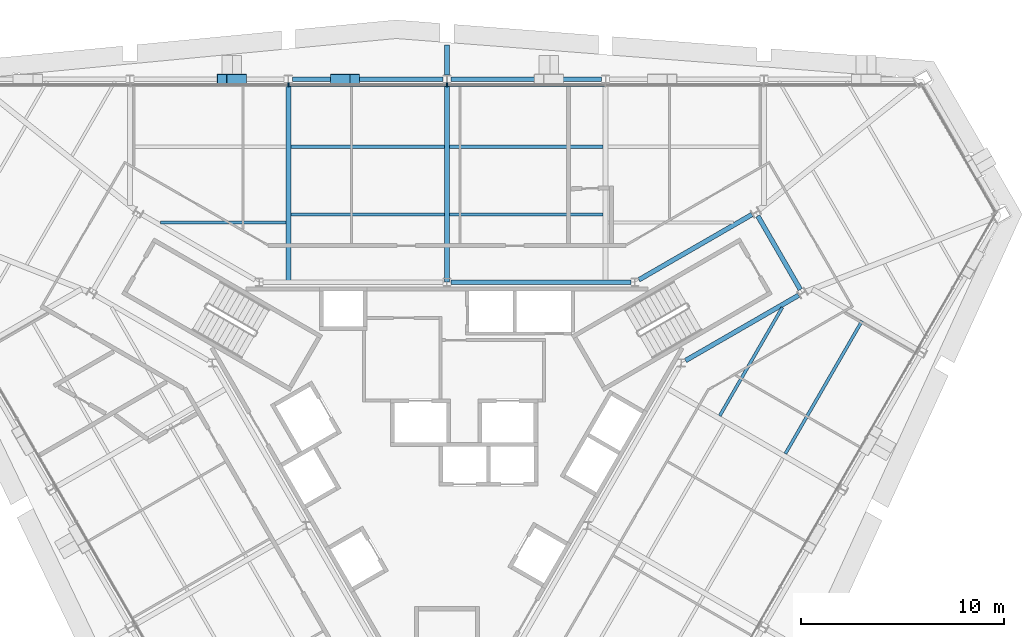
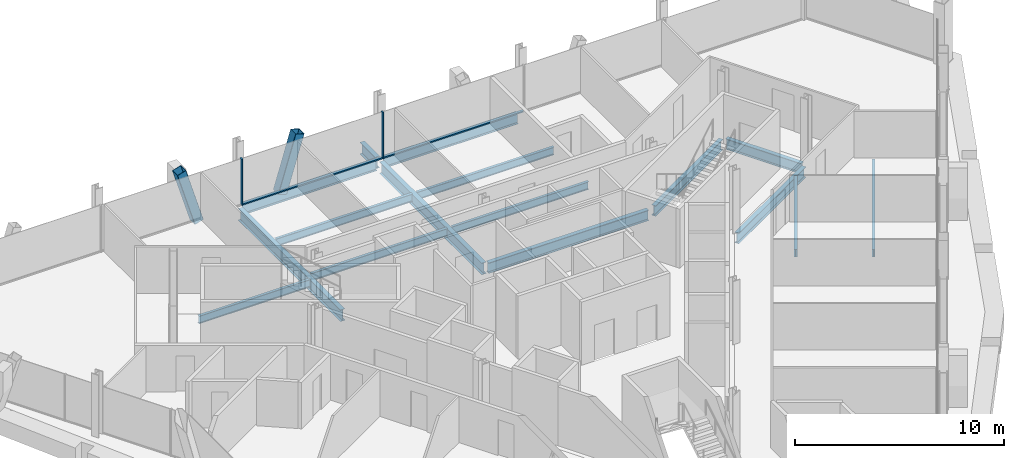
# One storey, part 9 of 17: 16 beams, 6 members, 1 element without a shape of its own.
"""IFC4 building model written with IfcOpenShell, lengths in metres."""

from ifc_helpers import new_model, si_unit, direction, frame, origin, origin_2d, place, context, subcontext, project, spatial, rectangle, hollow_rectangle, i_section, extrude, material, material_profile, profile_set, type_object, element, aggregate, save


model = new_model("IFC4")

# Units and contexts
model_context = context("Model", 3, precision=1e-05, world=origin(), true_north=direction((0.0, 1.0)))
body_context = subcontext(model_context, "Body", "Model", "MODEL_VIEW")
ifc_project = project(units=[si_unit("LENGTHUNIT", "METRE"), si_unit("AREAUNIT", "SQUARE_METRE"), si_unit("VOLUMEUNIT", "CUBIC_METRE"), si_unit("PLANEANGLEUNIT", "RADIAN"), si_unit("MASSUNIT", "GRAM", prefix="KILO")], contexts=[model_context])

# Site, building, storey
site_placement = place(None, origin())
site = spatial("IfcSite", under=ifc_project, at=site_placement, CompositionType="ELEMENT")
building_placement = place(site_placement, origin())
building = spatial("IfcBuilding", under=site, at=building_placement, Name="Verrane Prism Tower", CompositionType="ELEMENT")
storey_placement = place(building_placement, frame((0.0, 0.0, 182.10009765625)))
storey = spatial("IfcBuildingStorey", under=building, at=storey_placement, Name="L45", CompositionType="ELEMENT", Elevation=182.10009765625)

# Beams
ifc_material_1 = material(Name="Steel A992", Category="steel")
ifc_material_profile_1 = material_profile(ifc_material_1, i_section(OverallWidth=0.23046875, OverallDepth=0.6171875, WebThickness=0.01318359375, FlangeThickness=0.022216796875, FilletRadius=0.012939453125, at=origin_2d()), Name="W24x94")
ifc_profile_set_1 = profile_set([ifc_material_profile_1], Name="Steel A992")
beam_type_1 = type_object("IfcBeamType", Name="Core ring girder W24x94", PredefinedType="BEAM", material=ifc_profile_set_1)
beam_1_placement = place(storey_placement, frame((11.7607421875, 4.1357421875, -0.55859375), z_axis=(0.866075143088, 0.499913839102, 0.0), x_axis=(-0.499913839102, 0.866075143088, 0.0)))
element("IfcBeam", 1, at=beam_1_placement, inside=storey, type_object=beam_type_1, Name="Core ring girder L45", PredefinedType="BEAM", context=body_context, shape_type="SweptSolid", body=[
    extrude(i_section(OverallWidth=0.23046875, OverallDepth=0.6171875, WebThickness=0.01318359375, FlangeThickness=0.022216796875, FilletRadius=0.012939453125, at=origin_2d()), origin(), (0.0, 0.0, 1.0), 6.441650390625),
])
beam_2_placement = place(storey_placement, frame((17.418212890625, 7.635986328125, -0.55859375), z_axis=(-0.500305747711, 0.865848808284, 0.0), x_axis=(-0.865848808284, -0.500305747711, 0.0)))
element("IfcBeam", 2, at=beam_2_placement, inside=storey, type_object=beam_type_1, Name="Core ring girder L45", PredefinedType="BEAM", context=body_context, shape_type="SweptSolid", body=[
    extrude(i_section(OverallWidth=0.23046875, OverallDepth=0.6171875, WebThickness=0.01318359375, FlangeThickness=0.022216796875, FilletRadius=0.012939453125, at=origin_2d()), origin(), (0.0, 0.0, 1.0), 4.1904296875),
])
beam_3_placement = place(storey_placement, frame((15.03955078125, 11.3359375, -0.55859375), z_axis=(-0.866075143088, -0.499913839102, 0.0), x_axis=(0.499913839102, -0.866075143088, 0.0)))
element("IfcBeam", 3, at=beam_3_placement, inside=storey, type_object=beam_type_1, Name="Core ring girder L45", PredefinedType="BEAM", context=body_context, shape_type="SweptSolid", body=[
    extrude(i_section(OverallWidth=0.23046875, OverallDepth=0.6171875, WebThickness=0.01318359375, FlangeThickness=0.022216796875, FilletRadius=0.012939453125, at=origin_2d()), origin(), (0.0, 0.0, 1.0), 6.441650390625),
])
beam_4_placement = place(storey_placement, frame((9.059326171875, 8.0, -0.55859375), z_axis=(-1.0, 0.0, 0.0), x_axis=(0.0, -1.0, 0.0)))
element("IfcBeam", 4, at=beam_4_placement, inside=storey, type_object=beam_type_1, Name="Core ring girder L45", PredefinedType="BEAM", context=body_context, shape_type="SweptSolid", body=[
    extrude(i_section(OverallWidth=0.23046875, OverallDepth=0.6171875, WebThickness=0.01318359375, FlangeThickness=0.022216796875, FilletRadius=0.012939453125, at=origin_2d()), origin(), (0.0, 0.0, 1.0), 8.858642578125),
])

# Members
ifc_material_2 = material(Name="Steel A500 Grade C", Category="steel")
ifc_material_profile_2 = material_profile(ifc_material_2, hollow_rectangle(XDim=0.508056640625, YDim=0.508056640625, WallThickness=0.01904296875, InnerFilletRadius=0.009521484375, OuterFilletRadius=0.028564453125, at=origin_2d()), Name="HSS20x20x3/4")
ifc_profile_set_2 = profile_set([ifc_material_profile_2], Name="Steel A500 Grade C")
member_type_1 = type_object("IfcMemberType", Name="Facade brace HSS20x20x3/4", PredefinedType="BRACE", material=ifc_profile_set_2)
member_1_placement = place(storey_placement, frame((-5.509765625, 18.010009765625, -0.216796875), z_axis=(0.289051375374, 0.0, 0.957313586237), x_axis=(0.0, 1.0, 0.0)))
element("IfcMember", 5, at=member_1_placement, inside=storey, type_object=member_type_1, Name="Facade brace N3 L45", PredefinedType="BRACE", context=body_context, shape_type="SweptSolid", body=[
    extrude(hollow_rectangle(XDim=0.508056640625, YDim=0.508056640625, WallThickness=0.01904296875, InnerFilletRadius=0.009521484375, OuterFilletRadius=0.028564453125, at=origin_2d()), origin(), (0.0, 0.0, 1.0), 3.3388671875),
])
member_2_placement = place(storey_placement, frame((-10.12744140625, 18.010009765625, -0.216796875), z_axis=(-0.288716259117, 0.0, 0.957414707283), x_axis=(0.0, -1.0, 0.0)))
element("IfcMember", 6, at=member_2_placement, inside=storey, type_object=member_type_1, Name="Facade brace N4 L45", PredefinedType="BRACE", context=body_context, shape_type="SweptSolid", body=[
    extrude(hollow_rectangle(XDim=0.508056640625, YDim=0.508056640625, WallThickness=0.01904296875, InnerFilletRadius=0.009521484375, OuterFilletRadius=0.028564453125, at=origin_2d()), origin(), (0.0, 0.0, 1.0), 3.33837890625),
])

# Beams
ifc_material_3 = material(Name="Steel A992", Category="steel")
ifc_material_profile_3 = material_profile(ifc_material_3, i_section(OverallWidth=0.15234375, OverallDepth=0.449462890625, WebThickness=0.007568359375, FlangeThickness=0.0107421875, FilletRadius=0.01025390625, at=origin_2d()), Name="W18x35")
ifc_profile_set_3 = profile_set([ifc_material_profile_3], Name="Steel A992")
beam_type_2 = type_object("IfcBeamType", Name="Floor beam W18x35", PredefinedType="BEAM", material=ifc_profile_set_3)
for number, where, z_axis, x_axis, name in (
    (7, (0.126953125, 11.336669921875, -0.385009765625), (1.0, 0.0, 0.0), (0.0, 1.0, 0.0), "Floor beam L45"),
    (8, (0.126953125, 14.67333984375, -0.385009765625), (1.0, 0.0, 0.0), (0.0, 1.0, 0.0), "Floor beam L45"),
    (9, (-7.693115234375, 11.336669921875, -0.385009765625), (1.0, 0.0, 0.0), (0.0, 1.0, 0.0), "Floor beam L45"),
    (10, (-7.693115234375, 14.67333984375, -0.385009765625), (1.0, 0.0, 0.0), (0.0, 1.0, 0.0), "Floor beam L45"),
):
    element("IfcBeam", number, at=place(storey_placement, frame(where, z_axis=z_axis, x_axis=x_axis)), inside=storey, type_object=beam_type_2, Name=name, PredefinedType="BEAM", context=body_context, shape_type="SweptSolid", body=[
        extrude(i_section(OverallWidth=0.15234375, OverallDepth=0.449462890625, WebThickness=0.007568359375, FlangeThickness=0.0107421875, FilletRadius=0.01025390625, at=origin_2d()), origin(), (0.0, 0.0, 1.0), 7.566162109375),
    ])
beam_5_placement = place(storey_placement, frame((-14.117919921875, 10.936767578125, -0.385009765625), z_axis=(1.0, 0.0, 0.0), x_axis=(0.0, 1.0, 0.0)))
element("IfcBeam", 11, at=beam_5_placement, inside=storey, type_object=beam_type_2, Name="Floor beam L45", PredefinedType="BEAM", context=body_context, shape_type="SweptSolid", body=[
    extrude(i_section(OverallWidth=0.15234375, OverallDepth=0.449462890625, WebThickness=0.007568359375, FlangeThickness=0.0107421875, FilletRadius=0.01025390625, at=origin_2d()), origin(), (0.0, 0.0, 1.0), 6.1708984375),
])
beam_6_placement = place(storey_placement, frame((16.68310546875, -0.453125, -0.385009765625), z_axis=(0.499994554566, 0.866028547684, 0.0), x_axis=(-0.866028547684, 0.499994554566, 0.0)))
element("IfcBeam", 12, at=beam_6_placement, inside=storey, type_object=beam_type_2, Name="Floor beam L45", PredefinedType="BEAM", context=body_context, shape_type="SweptSolid", body=[
    extrude(i_section(OverallWidth=0.15234375, OverallDepth=0.449462890625, WebThickness=0.007568359375, FlangeThickness=0.0107421875, FilletRadius=0.01025390625, at=origin_2d()), origin(), (0.0, 0.0, 1.0), 7.5595703125),
])
beam_7_placement = place(storey_placement, frame((13.446044921875, 1.41357421875, -0.385009765625), z_axis=(0.500025052272, 0.866010939365, 0.0), x_axis=(-0.866010939365, 0.500025052272, 0.0)))
element("IfcBeam", 13, at=beam_7_placement, inside=storey, type_object=beam_type_2, Name="Floor beam L45", PredefinedType="BEAM", context=body_context, shape_type="SweptSolid", body=[
    extrude(i_section(OverallWidth=0.15234375, OverallDepth=0.449462890625, WebThickness=0.007568359375, FlangeThickness=0.0107421875, FilletRadius=0.01025390625, at=origin_2d()), origin(), (0.0, 0.0, 1.0), 6.169189453125),
])

# Curtain wall, members
ifc_material_4 = material(Name="Aluminium framed insulated glazing", Category="aluminium")
curtain_wall_type = type_object("IfcCurtainWallType", Name="Curtain wall CW-A 8400 module", PredefinedType="NOTDEFINED", material=ifc_material_4)
curtain_wall_placement = place(storey_placement, origin())
curtain_wall = element("IfcCurtainWall", 14, at=curtain_wall_placement, inside=storey, type_object=curtain_wall_type, Name="Glazed curtain wall north face L45", PredefinedType="NOTDEFINED")
ifc_material_5 = material(Name="Aluminium alloy 6063-T6", Category="aluminium")
ifc_material_profile_4 = material_profile(ifc_material_5, rectangle(XDim=0.199951171875, YDim=0.070068359375, at=origin_2d()), Name="Mullion 70x200 aluminium")
ifc_profile_set_4 = profile_set([ifc_material_profile_4], Name="Aluminium alloy 6063-T6")
member_type_2 = type_object("IfcMemberType", Name="Mullion 70x200 aluminium", PredefinedType="MULLION", material=ifc_profile_set_4)
member_3_placement = place(storey_placement, frame((0.0, 17.73095703125, 0.0), z_axis=(0.0, 0.0, 1.0), x_axis=(0.0, -1.0, 0.0)))
member_3 = element("IfcMember", 15, at=member_3_placement, type_object=member_type_2, Name="CW44.2 mullion 4", PredefinedType="MULLION", context=body_context, shape_type="SweptSolid", body=[
    extrude(rectangle(XDim=0.199951171875, YDim=0.070068359375, at=origin_2d()), origin(), (0.0, 0.0, 1.0), 2.712890625),
])
member_4_placement = place(storey_placement, frame((-7.802734375, 17.73095703125, 0.0), z_axis=(0.0, 0.0, 1.0), x_axis=(0.0, -1.0, 0.0)))
member_4 = element("IfcMember", 16, at=member_4_placement, type_object=member_type_2, Name="CW44.2 mullion 5", PredefinedType="MULLION", context=body_context, shape_type="SweptSolid", body=[
    extrude(rectangle(XDim=0.199951171875, YDim=0.070068359375, at=origin_2d()), origin(), (0.0, 0.0, 1.0), 2.712890625),
])

# Beams
ifc_material_6 = material(Name="Steel A992", Category="steel")
ifc_material_profile_5 = material_profile(ifc_material_6, i_section(OverallWidth=0.25390625, OverallDepth=0.683349609375, WebThickness=0.012451171875, FlangeThickness=0.01904296875, FilletRadius=0.01513671875, at=origin_2d()), Name="W27x94")
ifc_profile_set_5 = profile_set([ifc_material_profile_5], Name="Steel A992")
beam_type_3 = type_object("IfcBeamType", Name="Radial girder W27x94", PredefinedType="BEAM", material=ifc_profile_set_5)
for number, where, z_axis, x_axis, name in (
    (17, (0.0, 17.8017578125, -0.561767578125), (0.0, -1.0, 0.0), (1.0, 0.0, 0.0), "Radial girder L45"),
    (18, (-7.820068359375, 17.8017578125, -0.561767578125), (0.0, -1.0, 0.0), (1.0, 0.0, 0.0), "Radial girder L45"),
):
    element("IfcBeam", number, at=place(storey_placement, frame(where, z_axis=z_axis, x_axis=x_axis)), inside=storey, type_object=beam_type_3, Name=name, PredefinedType="BEAM", context=body_context, shape_type="SweptSolid", body=[
        extrude(i_section(OverallWidth=0.25390625, OverallDepth=0.683349609375, WebThickness=0.012451171875, FlangeThickness=0.01904296875, FilletRadius=0.01513671875, at=origin_2d()), origin(), (0.0, 0.0, 1.0), 9.8017578125),
    ])
beam_8_placement = place(storey_placement, frame((0.0, 18.21435546875, -0.561767578125), z_axis=(0.0, 1.0, 0.0), x_axis=(-1.0, 0.0, 0.0)))
element("IfcBeam", 19, at=beam_8_placement, inside=storey, type_object=beam_type_3, Name="Cantilever girder L45", PredefinedType="BEAM", context=body_context, shape_type="SweptSolid", body=[
    extrude(i_section(OverallWidth=0.25390625, OverallDepth=0.683349609375, WebThickness=0.012451171875, FlangeThickness=0.01904296875, FilletRadius=0.01513671875, at=origin_2d()), origin(), (0.0, 0.0, 1.0), 1.467529296875),
])
ifc_material_7 = material(Name="Steel A992", Category="steel")
ifc_material_profile_6 = material_profile(ifc_material_7, i_section(OverallWidth=0.23046875, OverallDepth=0.6171875, WebThickness=0.01318359375, FlangeThickness=0.022216796875, FilletRadius=0.012939453125, at=origin_2d()), Name="W24x94")
ifc_profile_set_6 = profile_set([ifc_material_profile_6], Name="Steel A992")
beam_type_4 = type_object("IfcBeamType", Name="Spandrel beam W24x94", PredefinedType="SPANDREL", material=ifc_profile_set_6)
for number, where, z_axis, x_axis, name in (
    (20, (7.61669921875, 18.010009765625, -0.46875), (-1.0, 0.0, 0.0), (0.0, -1.0, 0.0), "Spandrel beam L45"),
    (21, (-0.203125, 18.010009765625, -0.46875), (-1.0, 0.0, 0.0), (0.0, -1.0, 0.0), "Spandrel beam L45"),
):
    element("IfcBeam", number, at=place(storey_placement, frame(where, z_axis=z_axis, x_axis=x_axis)), inside=storey, type_object=beam_type_4, Name=name, PredefinedType="SPANDREL", context=body_context, shape_type="SweptSolid", body=[
        extrude(i_section(OverallWidth=0.23046875, OverallDepth=0.6171875, WebThickness=0.01318359375, FlangeThickness=0.022216796875, FilletRadius=0.012939453125, at=origin_2d()), origin(), (0.0, 0.0, 1.0), 7.41357421875),
    ])

# Member
ifc_material_8 = material(Name="Aluminium alloy 6063-T6", Category="aluminium")
ifc_material_profile_7 = material_profile(ifc_material_8, rectangle(XDim=0.14990234375, YDim=0.070068359375, at=origin_2d()), Name="Transom 70x150 aluminium")
ifc_profile_set_7 = profile_set([ifc_material_profile_7], Name="Aluminium alloy 6063-T6")
member_type_3 = type_object("IfcMemberType", Name="Transom 70x150 aluminium", PredefinedType="USERDEFINED", material=ifc_profile_set_7)
member_5_placement = place(storey_placement, frame((7.767822265625, 17.73095703125, 0.034912109375), z_axis=(-1.0, 0.0, 0.0), x_axis=(0.0, -1.0, 0.0)))
member_5 = element("IfcMember", 22, at=member_5_placement, type_object=member_type_3, Name="CW44.2 transom 3", ObjectType="TRANSOM", PredefinedType="USERDEFINED", context=body_context, shape_type="SweptSolid", body=[
    extrude(rectangle(XDim=0.14990234375, YDim=0.070068359375, at=origin_2d()), origin(), (0.0, 0.0, 1.0), 7.73291015625),
])

member_6_placement = place(storey_placement, frame((-0.034912109375, 17.73095703125, 0.034912109375), z_axis=(-1.0, 0.0, 0.0), x_axis=(0.0, -1.0, 0.0)))
member_6 = element("IfcMember", 23, at=member_6_placement, type_object=member_type_3, Name="CW44.2 transom 4", ObjectType="TRANSOM", PredefinedType="USERDEFINED", context=body_context, shape_type="SweptSolid", body=[
    extrude(rectangle(XDim=0.14990234375, YDim=0.070068359375, at=origin_2d()), origin(), (0.0, 0.0, 1.0), 7.73291015625),
])

aggregate(curtain_wall, [member_3, member_4, member_5, member_6])

save(model, "model.ifc")
